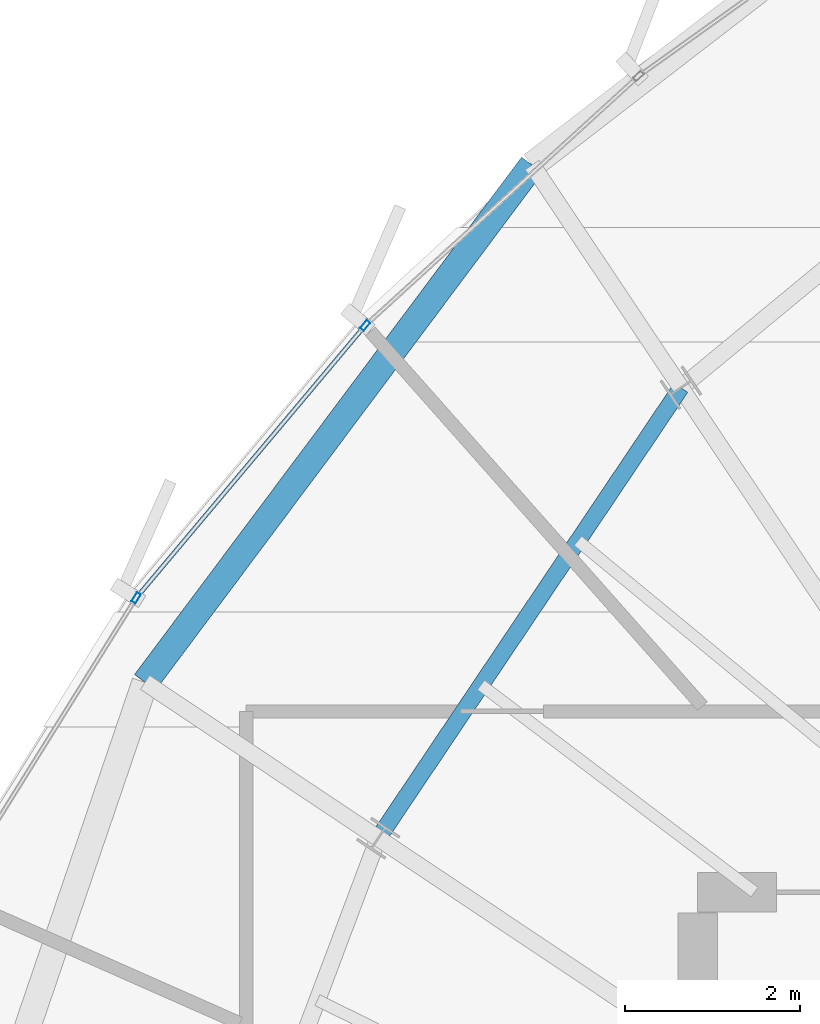
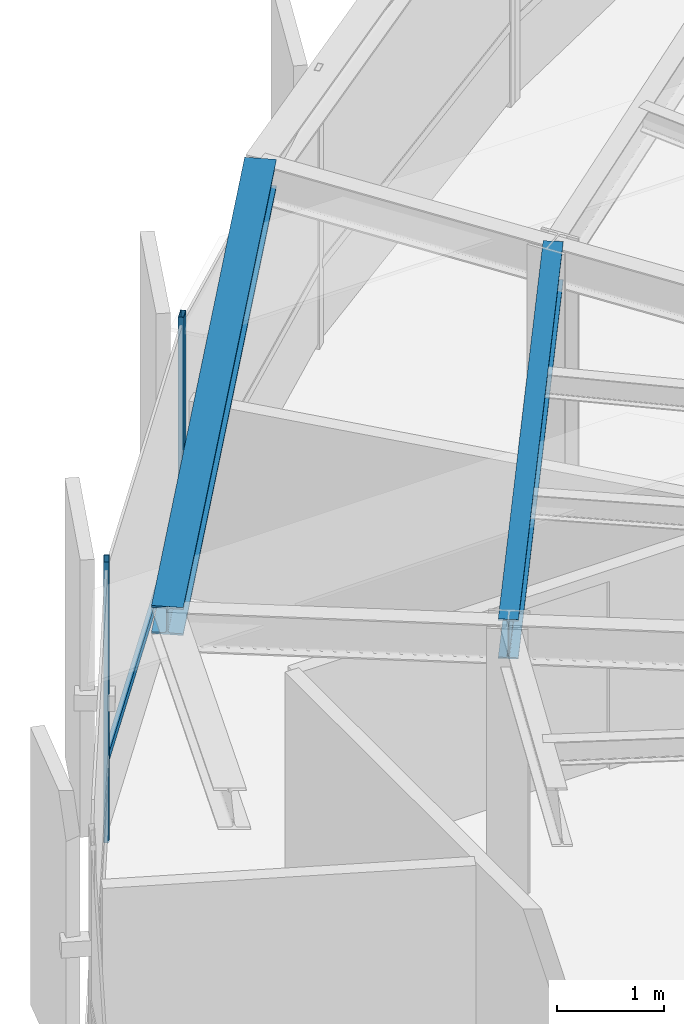
# One storey, part 17 of 32: 3 members, 2 beams, 1 element without a shape of its own.
"""IFC4 building model written with IfcOpenShell, lengths in metres."""

import ifcopenshell
import ifcopenshell.guid

model = None  # the IFC model being written
_history = None  # IfcOwnerHistory: only IFC2X3 demands one
_inside = {}  # id of a spatial element -> (the spatial element, [elements in it])
_under = {}  # id of a project, library or spatial element -> (it, [spatial elements below it])
_declared = {}  # id of a project -> (the project, [libraries it declares])
_typed = {}  # id of a type object -> (the type object, [elements of that type])
_made_of = {}  # id of a material, layer set ... -> (it, [elements and type objects made of it])


def new_model(schema):
    """Start an empty IFC model of exactly this schema.

    Asked for "IFC4X3", IfcOpenShell would pick the latest addendum, in which some entities
    have other attributes; the version numbers below select the first issue.
    IFC2X3 requires an IfcOwnerHistory on every rooted entity: one is made here for all.
    """
    global model, _history
    if schema == "IFC4X3":
        model = ifcopenshell.file(schema_version=(4, 3, 0, 0))
    else:
        model = ifcopenshell.file(schema=schema)
    _inside.clear()
    _under.clear()
    _declared.clear()
    _typed.clear()
    _made_of.clear()
    _history = None
    if model.schema == "IFC2X3":
        org = make("IfcOrganization", Name="unknown")
        user = make(
            "IfcPersonAndOrganization",
            ThePerson=make("IfcPerson", FamilyName="unknown"),
            TheOrganization=org,
        )
        app = make(
            "IfcApplication",
            ApplicationDeveloper=org,
            Version="unknown",
            ApplicationFullName="unknown",
            ApplicationIdentifier="unknown",
        )
        _history = make(
            "IfcOwnerHistory",
            OwningUser=user,
            OwningApplication=app,
            ChangeAction="ADDED",
            CreationDate=0,
        )
    return model


def make(cls, **values):
    """One entity of the class cls with the attributes given. An attribute that is None is left unset."""
    return model.create_entity(
        cls, **{name: value for name, value in values.items() if value is not None}
    )


def rooted(cls, **values):
    """An entity with a GlobalId (a new one), such as an element, a storey or a relation."""
    return make(cls, GlobalId=ifcopenshell.guid.new(), OwnerHistory=_history, **values)


def si_unit(unit_type, name, prefix=None):
    """IfcSIUnit, for example si_unit("LENGTHUNIT", "METRE", prefix="MILLI")."""
    return make("IfcSIUnit", UnitType=unit_type, Prefix=prefix, Name=name)


def assignment(units):
    """IfcUnitAssignment: the units of a project."""
    return None if units is None else make("IfcUnitAssignment", Units=units)


def point(xyz):
    """IfcCartesianPoint."""
    return None if xyz is None else make("IfcCartesianPoint", Coordinates=xyz)


def direction(xyz):
    """IfcDirection."""
    return None if xyz is None else make("IfcDirection", DirectionRatios=xyz)


def frame(location, z_axis=None, x_axis=None):
    """IfcAxis2Placement3D, a coordinate frame: its origin and axes. An axis left out is left unset."""
    return make(
        "IfcAxis2Placement3D",
        Location=point(location),
        Axis=direction(z_axis),
        RefDirection=direction(x_axis),
    )


def frame_2d(location, x_axis=None):
    """IfcAxis2Placement2D, a coordinate frame in the plane: its origin and x axis."""
    return make(
        "IfcAxis2Placement2D", Location=point(location), RefDirection=direction(x_axis)
    )


def origin():
    """The frame at (0, 0, 0) with its axes left unset."""
    return frame((0.0, 0.0, 0.0))


def origin_2d():
    """The frame at (0, 0) in the plane with its x axis left unset."""
    return frame_2d((0.0, 0.0))


def place(relative_to, where):
    """IfcLocalPlacement: puts the frame where relative to a parent placement (None: the world)."""
    return make(
        "IfcLocalPlacement", PlacementRelTo=relative_to, RelativePlacement=where
    )


def context(
    kind, dimensions, precision=None, world=None, true_north=None, identifier=None
):
    """IfcGeometricRepresentationContext, for example the 3D "Model" context."""
    return make(
        "IfcGeometricRepresentationContext",
        ContextIdentifier=identifier,
        ContextType=kind,
        CoordinateSpaceDimension=dimensions,
        Precision=precision,
        WorldCoordinateSystem=world,
        TrueNorth=true_north,
    )


def subcontext(parent, identifier, kind, view, scale=None):
    """IfcGeometricRepresentationSubContext, for example "Body" below "Model"."""
    return make(
        "IfcGeometricRepresentationSubContext",
        ContextIdentifier=identifier,
        ContextType=kind,
        ParentContext=parent,
        TargetScale=scale,
        TargetView=view,
    )


def project(units=None, contexts=None):
    """IfcProject with its units and contexts."""
    return rooted(
        "IfcProject",
        Name="project",
        RepresentationContexts=contexts,
        UnitsInContext=assignment(units),
    )


def spatial(cls, under=None, at=None, **own):
    """A site, building, storey or space (cls), placed at a placement, below another one or the project."""
    s = rooted(cls, ObjectPlacement=at, **own)
    if under is not None:
        _under.setdefault(under.id(), (under, []))[1].append(s)
    return s


def profile(cls, at=None, kind="AREA", **sizes):
    """A parametric profile (cls). Its sizes go by their IFC names, for example OverallWidth=200.0."""
    return make(cls, ProfileType=kind, Position=at, **sizes)


def hollow_rectangle(**sizes):
    """IfcRectangleHollowProfileDef."""
    return profile("IfcRectangleHollowProfileDef", **sizes)


def i_section(**sizes):
    """IfcIShapeProfileDef."""
    return profile("IfcIShapeProfileDef", **sizes)


def extrude(swept, where, along, depth):
    """IfcExtrudedAreaSolid: the profile swept, set in the frame where, extruded along a direction by depth."""
    return make(
        "IfcExtrudedAreaSolid",
        SweptArea=swept,
        Position=where,
        ExtrudedDirection=direction(along),
        Depth=depth,
    )


def shape(context_of_items, identifier, shape_type, items):
    """IfcShapeRepresentation: the items that make up one representation, for example the "Body"."""
    return make(
        "IfcShapeRepresentation",
        ContextOfItems=context_of_items,
        RepresentationIdentifier=identifier,
        RepresentationType=shape_type,
        Items=items,
    )


def source(mapping_origin, context_of_items, identifier, shape_type, items):
    """IfcRepresentationMap: a shape defined once, which mapped items show again and again."""
    return make(
        "IfcRepresentationMap",
        MappingOrigin=mapping_origin,
        MappedRepresentation=shape(context_of_items, identifier, shape_type, items),
    )


def transform(
    local_origin,
    x_axis=None,
    y_axis=None,
    z_axis=None,
    scale=None,
    scale2=None,
    scale3=None,
    uniform=True,
):
    """IfcCartesianTransformationOperator3D, or its non-uniform kind. x_axis, y_axis, z_axis: its Axis1, 2, 3."""
    if uniform:
        return make(
            "IfcCartesianTransformationOperator3D",
            Axis1=direction(x_axis),
            Axis2=direction(y_axis),
            LocalOrigin=point(local_origin),
            Scale=scale,
            Axis3=direction(z_axis),
        )
    return make(
        "IfcCartesianTransformationOperator3DnonUniform",
        Axis1=direction(x_axis),
        Axis2=direction(y_axis),
        LocalOrigin=point(local_origin),
        Scale=scale,
        Axis3=direction(z_axis),
        Scale2=scale2,
        Scale3=scale3,
    )


def mapped(mapping_source, mapping_target):
    """IfcMappedItem: shows the shape of a source again, moved by a transform."""
    return make(
        "IfcMappedItem", MappingSource=mapping_source, MappingTarget=mapping_target
    )


def material(Name=None, Category=None):
    """IfcMaterial."""
    return make("IfcMaterial", Name=Name, Category=Category)


def layer(
    of_material, thickness, ventilated=None, Name=None, Category=None, Priority=None
):
    """IfcMaterialLayer: one layer of a wall or slab, of a material (None: an air gap)."""
    return make(
        "IfcMaterialLayer",
        Material=of_material,
        LayerThickness=thickness,
        IsVentilated=ventilated,
        Name=Name,
        Category=Category,
        Priority=Priority,
    )


def layer_set(layers, Name=None):
    """IfcMaterialLayerSet."""
    return make("IfcMaterialLayerSet", MaterialLayers=layers, LayerSetName=Name)


def material_profile(
    of_material, cross_section, Name=None, Category=None, Priority=None
):
    """IfcMaterialProfile: a cross section and its material."""
    return make(
        "IfcMaterialProfile",
        Name=Name,
        Material=of_material,
        Profile=cross_section,
        Priority=Priority,
        Category=Category,
    )


def profile_set(profiles, Name=None, composite=None):
    """IfcMaterialProfileSet."""
    return make(
        "IfcMaterialProfileSet",
        Name=Name,
        MaterialProfiles=profiles,
        CompositeProfile=composite,
    )


def made_of(thing, what):
    """Note that an element or type object is made of a material, layer set ...; save() writes the relation."""
    if what is not None:
        _made_of.setdefault(what.id(), (what, []))[1].append(thing)
    return thing


def type_object(cls, material=None, **own):
    """A type object (cls), such as IfcWallType, which elements share."""
    return made_of(rooted(cls, **own), material)


def element(
    cls,
    number,
    at=None,
    inside=None,
    cuts=None,
    type_object=None,
    material=None,
    context=None,
    identifier="Body",
    shape_type=None,
    held_by="IfcProductDefinitionShape",
    body=None,
    shapes=None,
    **own,
):
    """One element of the class cls, such as IfcWall. Its Tag is "e" and its number.

    at: its placement. inside: the storey or other place that contains it. cuts: it is an
    opening in that element (IfcRelVoidsElement). A single representation is given by context,
    identifier, shape_type and body (its items); several are given by shapes. held_by: the class
    of the entity that holds the representations. save() writes the other relations.
    """
    e = rooted(cls, Tag="e%d" % number, ObjectPlacement=at, **own)
    if body is not None:
        shapes = [shape(context, identifier, shape_type, body)]
    if shapes is not None:
        e.Representation = make(held_by, Representations=shapes)
    if inside is not None:
        _inside.setdefault(inside.id(), (inside, []))[1].append(e)
    if cuts is not None:
        rooted(
            "IfcRelVoidsElement", RelatingBuildingElement=cuts, RelatedOpeningElement=e
        )
    if type_object is not None:
        _typed.setdefault(type_object.id(), (type_object, []))[1].append(e)
    return made_of(e, material)


def aggregate(whole, parts):
    """IfcRelAggregates: a whole, such as a stair, and the parts it consists of."""
    return rooted("IfcRelAggregates", RelatingObject=whole, RelatedObjects=parts)


def save(model, path):
    """Write the relations noted so far, then the file.

    IfcRelAggregates (storeys below a building ...), IfcRelContainedInSpatialStructure (elements
    in a storey), IfcRelDefinesByType, IfcRelAssociatesMaterial and IfcRelDeclares: one each for
    every whole, place, type object, material and project.
    """
    for whole, parts in _under.values():
        aggregate(whole, parts)
    for where, things in _inside.values():
        rooted(
            "IfcRelContainedInSpatialStructure",
            RelatedElements=things,
            RelatingStructure=where,
        )
    for kind, things in _typed.values():
        rooted("IfcRelDefinesByType", RelatedObjects=things, RelatingType=kind)
    for what, things in _made_of.values():
        rooted("IfcRelAssociatesMaterial", RelatedObjects=things, RelatingMaterial=what)
    for by, libraries in _declared.values():
        rooted("IfcRelDeclares", RelatingContext=by, RelatedDefinitions=libraries)
    model.write(path)


model = new_model("IFC4")

# Units and contexts
model_context = context("Model", 3, precision=1e-05, world=origin(), true_north=direction((0.0, 1.0)))
body_context = subcontext(model_context, "Body", "Model", "MODEL_VIEW")
ifc_project = project(units=[si_unit("LENGTHUNIT", "METRE"), si_unit("AREAUNIT", "SQUARE_METRE"), si_unit("VOLUMEUNIT", "CUBIC_METRE"), si_unit("PLANEANGLEUNIT", "RADIAN"), si_unit("MASSUNIT", "GRAM", prefix="KILO"), si_unit("THERMODYNAMICTEMPERATUREUNIT", "KELVIN")], contexts=[model_context])

# Site, building, storey
site_placement = place(None, origin())
site = spatial("IfcSite", under=ifc_project, at=site_placement, CompositionType="ELEMENT")
building_placement = place(site_placement, origin())
building = spatial("IfcBuilding", under=site, at=building_placement, Name="Kethvar Cultural Tower", CompositionType="ELEMENT")
storey_placement = place(building_placement, frame((0.0, 0.0, 252.550048828125)))
storey = spatial("IfcBuildingStorey", under=building, at=storey_placement, Name="L66", CompositionType="ELEMENT", Elevation=252.550048828125)

# Beams
ifc_material_1 = material(Name="Steel S355J2", Category="steel")
ifc_material_profile_1 = material_profile(ifc_material_1, i_section(OverallWidth=0.18994140625, OverallDepth=0.449951171875, WebThickness=0.009521484375, FlangeThickness=0.0146484375, FilletRadius=0.02099609375, at=origin_2d()), Name="Steel S355J2 — IPE450")
ifc_profile_set_1 = profile_set([ifc_material_profile_1], Name="Steel S355J2 — IPE450")
beam_type_1 = type_object("IfcBeamType", Name="BM-IPE450", PredefinedType="BEAM", material=ifc_profile_set_1)
shared_shape_1 = source(origin(), body_context, "Body", "SweptSolid", [
    extrude(i_section(OverallWidth=0.18994140625, OverallDepth=0.449951171875, WebThickness=0.009521484375, FlangeThickness=0.0146484375, FilletRadius=0.02099609375, at=origin_2d()), origin(), (0.0, 0.0, 1.0), 6.192626953125),
])
beam_1_placement = place(storey_placement, frame((37.8095703125, 41.255126953125, 2.98291015625), z_axis=(-0.557698912025, -0.830043326295, 0.0), x_axis=(0.830043326295, -0.557698912025, 0.0)))
element("IfcBeam", 1, at=beam_1_placement, inside=storey, type_object=beam_type_1, Name="L66 Column Ring Tie Beam CR-06", PredefinedType="BEAM", context=body_context, shape_type="MappedRepresentation", body=[
    mapped(shared_shape_1, transform((0.0, 0.0, 0.0), scale=1.0)),
])
ifc_material_profile_2 = material_profile(ifc_material_1, i_section(OverallWidth=0.300048828125, OverallDepth=0.320068359375, WebThickness=0.011474609375, FlangeThickness=0.0205078125, FilletRadius=0.027099609375, at=origin_2d()), Name="Steel S355J2 — HEB320")
ifc_profile_set_2 = profile_set([ifc_material_profile_2], Name="Steel S355J2 — HEB320")
beam_type_2 = type_object("IfcBeamType", Name="BM-SP320", PredefinedType="SPANDREL", material=ifc_profile_set_2)
shared_shape_2 = source(origin(), body_context, "Body", "SweptSolid", [
    extrude(i_section(OverallWidth=0.300048828125, OverallDepth=0.320068359375, WebThickness=0.011474609375, FlangeThickness=0.0205078125, FilletRadius=0.027099609375, at=origin_2d()), origin(), (0.0, 0.0, 1.0), 7.37255859375),
])
beam_2_placement = place(storey_placement, frame((36.11181640625, 43.7958984375, 3.0478515625), z_axis=(-0.599045868781, -0.800714710178, 0.0), x_axis=(0.800714710178, -0.599045868781, 0.0)))
element("IfcBeam", 2, at=beam_2_placement, inside=storey, type_object=beam_type_2, Name="L66 Perimeter Spandrel Beam SP-06", PredefinedType="SPANDREL", context=body_context, shape_type="MappedRepresentation", body=[
    mapped(shared_shape_2, transform((0.0, 0.0, 0.0), scale=1.0)),
])

# Curtain wall, members
ifc_material_2 = material(Name="Aluminium 6063-T6", Category="aluminium")
ifc_layer = layer(ifc_material_2, 0.179931640625, Name="Aluminium 6063-T6", Category="aluminium")
ifc_layer_set = layer_set([ifc_layer], Name="Aluminium 6063-T6 (180 mm)")
curtain_wall_type = type_object("IfcCurtainWallType", Name="CW-SYS-05-Z56", PredefinedType="NOTDEFINED", material=ifc_layer_set)
curtain_wall_placement = place(storey_placement, origin())
curtain_wall = element("IfcCurtainWall", 3, at=curtain_wall_placement, inside=storey, type_object=curtain_wall_type, Name="L66 Curtain Wall Run 02", PredefinedType="NOTDEFINED")
ifc_material_profile_3 = material_profile(ifc_material_2, hollow_rectangle(XDim=0.054931640625, YDim=0.1201171875, WallThickness=0.00390625, at=origin_2d()), Name="Aluminium 6063-T6 — RHS120x55x4")
ifc_profile_set_3 = profile_set([ifc_material_profile_3], Name="Aluminium 6063-T6 — RHS120x55x4")
member_type_1 = type_object("IfcMemberType", Name="CW-SYS-05-Z56-MUL", PredefinedType="MULLION", material=ifc_profile_set_3)
shared_shape_3 = source(origin(), body_context, "Body", "SweptSolid", [
    extrude(hollow_rectangle(XDim=0.054931640625, YDim=0.1201171875, WallThickness=0.00390625, at=origin_2d()), origin(), (0.0, 0.0, 1.0), 3.2099609375),
])
member_1_placement = place(storey_placement, frame((34.20654296875, 41.96435546875, 0.0), z_axis=(0.0, 0.0, 1.0), x_axis=(0.765573049418, -0.643348976842, 0.0)))
member_1 = element("IfcMember", 4, at=member_1_placement, type_object=member_type_1, Name="CW-L66-R02 Mullion 3", PredefinedType="MULLION", context=body_context, shape_type="MappedRepresentation", body=[
    mapped(shared_shape_3, transform((0.0, 0.0, 0.0), scale=1.0)),
])
member_2_placement = place(storey_placement, frame((31.59375, 38.856689453125, 0.0), z_axis=(0.0, 0.0, 1.0), x_axis=(0.84899013309, -0.528408699698, 0.0)))
member_2 = element("IfcMember", 5, at=member_2_placement, type_object=member_type_1, Name="CW-L66-R02 Mullion 4", PredefinedType="MULLION", context=body_context, shape_type="MappedRepresentation", body=[
    mapped(shared_shape_3, transform((0.0, 0.0, 0.0), scale=1.0)),
])
ifc_material_profile_4 = material_profile(ifc_material_2, hollow_rectangle(XDim=0.050048828125, YDim=0.10009765625, WallThickness=0.00390625, at=origin_2d()), Name="Aluminium 6063-T6 — RHS100x50x4")
ifc_profile_set_4 = profile_set([ifc_material_profile_4], Name="Aluminium 6063-T6 — RHS100x50x4")
member_type_2 = type_object("IfcMemberType", Name="CW-SYS-05-Z56-TRN", PredefinedType="USERDEFINED", material=ifc_profile_set_4)
shared_shape_4 = source(origin(), body_context, "Body", "SweptSolid", [
    extrude(hollow_rectangle(XDim=0.050048828125, YDim=0.10009765625, WallThickness=0.00390625, at=origin_2d()), origin(), (0.0, 0.0, 1.0), 3.9951171875),
])
member_3_placement = place(storey_placement, frame((34.18115234375, 41.93408203125, 0.949951171875), z_axis=(-0.643352582995, -0.765570018975, 0.0), x_axis=(0.765570018975, -0.643352582995, 0.0)))
member_3 = element("IfcMember", 6, at=member_3_placement, type_object=member_type_2, Name="CW-L66-R02 Transom 3", ObjectType="TRANSOM", PredefinedType="USERDEFINED", context=body_context, shape_type="MappedRepresentation", body=[
    mapped(shared_shape_4, transform((0.0, 0.0, 0.0), scale=1.0)),
])
aggregate(curtain_wall, [member_1, member_2, member_3])

save(model, "model.ifc")
